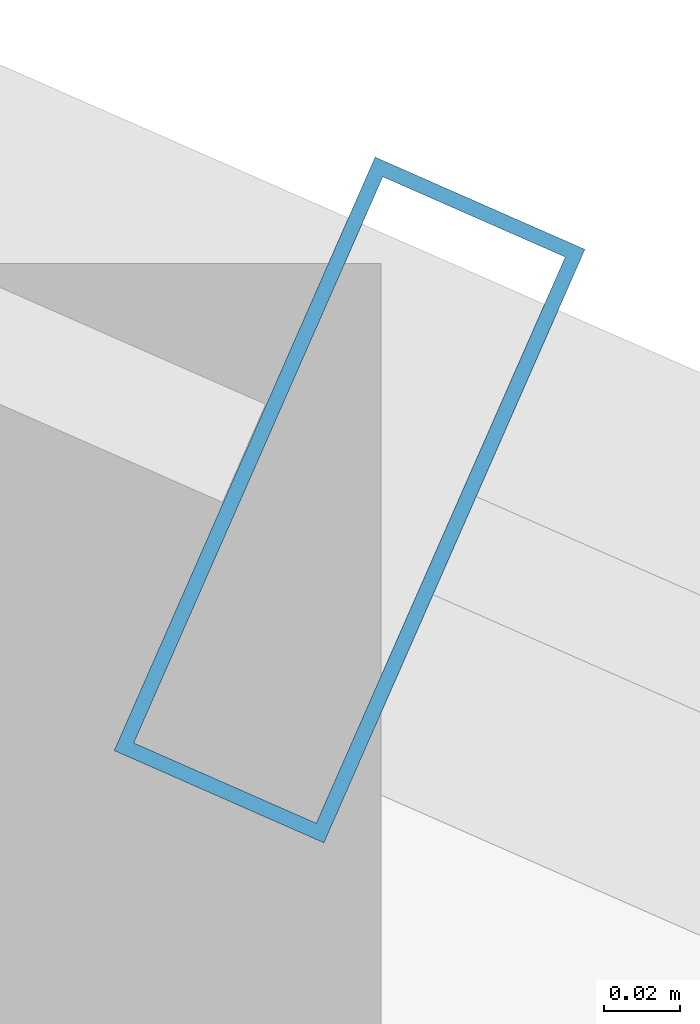
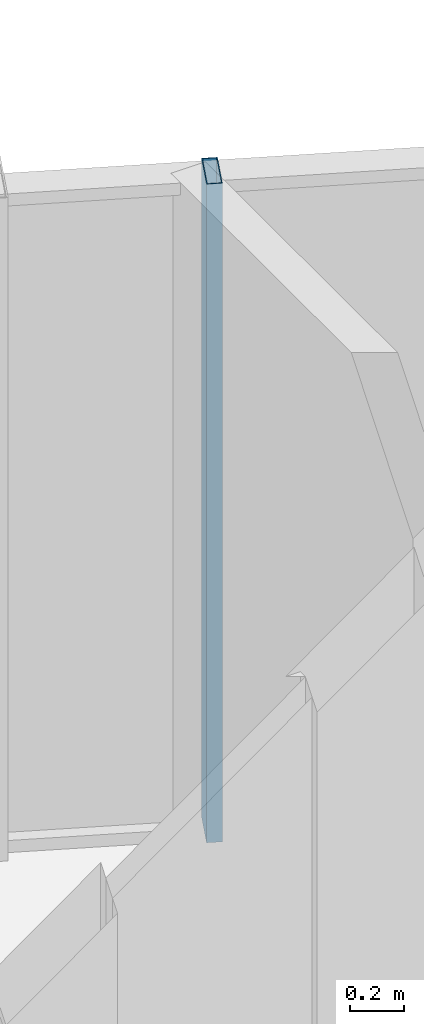
# One storey, part 25 of 34: 1 member, 1 element without a shape of its own.
"""IFC4 building model written with IfcOpenShell, lengths in metres."""

from ifc_helpers import new_model, si_unit, direction, frame, origin, origin_2d, place, context, subcontext, project, spatial, hollow_rectangle, extrude, source, transform, mapped, material, layer, layer_set, material_profile, profile_set, type_object, element, aggregate, save


model = new_model("IFC4")

# Units and contexts
model_context = context("Model", 3, precision=1e-05, world=origin(), true_north=direction((0.0, 1.0)))
body_context = subcontext(model_context, "Body", "Model", "MODEL_VIEW")
ifc_project = project(units=[si_unit("LENGTHUNIT", "METRE"), si_unit("AREAUNIT", "SQUARE_METRE"), si_unit("VOLUMEUNIT", "CUBIC_METRE"), si_unit("PLANEANGLEUNIT", "RADIAN"), si_unit("MASSUNIT", "GRAM", prefix="KILO")], contexts=[model_context])

# Site, building, storey
site_placement = place(None, origin())
site = spatial("IfcSite", under=ifc_project, at=site_placement, CompositionType="ELEMENT")
building_placement = place(site_placement, origin())
building = spatial("IfcBuilding", under=site, at=building_placement, Name="Veraguas Prism Commons", CompositionType="ELEMENT")
storey_placement = place(building_placement, frame((0.0, 0.0, 149.0)))
storey = spatial("IfcBuildingStorey", under=building, at=storey_placement, Name="L42", CompositionType="ELEMENT", Elevation=149.0)

# Curtain wall, member
ifc_material = material(Name="Anodised aluminium EN AW-6063 T6", Category="aluminium")
ifc_layer = layer(ifc_material, 0.169921875, Name="Unitised Flush Curtain Wall Zone 2", Category="aluminium")
ifc_layer_set = layer_set([ifc_layer], Name="Anodised aluminium EN AW-6063 T6")
curtain_wall_type = type_object("IfcCurtainWallType", Name="Unitised Flush Curtain Wall Zone 2", PredefinedType="NOTDEFINED", material=ifc_layer_set)
curtain_wall_placement = place(storey_placement, origin())
curtain_wall = element("IfcCurtainWall", 1, at=curtain_wall_placement, inside=storey, type_object=curtain_wall_type, Name="Tower Facade Curtain Wall L42-F1", PredefinedType="NOTDEFINED")
ifc_material_profile = material_profile(ifc_material, hollow_rectangle(XDim=0.06005859375, YDim=0.169921875, WallThickness=0.00390625, at=origin_2d()), Name="AL60X170X4")
ifc_profile_set = profile_set([ifc_material_profile], Name="Anodised aluminium EN AW-6063 T6")
member_type = type_object("IfcMemberType", Name="Curtain Wall Mullion Lower AL 60x170x4", PredefinedType="MULLION", material=ifc_profile_set)
shared_shape = source(origin(), body_context, "Body", "SweptSolid", [
    extrude(hollow_rectangle(XDim=0.06005859375, YDim=0.169921875, WallThickness=0.00390625, at=origin_2d()), origin(), (0.0, 0.0, 1.0), 3.0),
])
member_placement = place(storey_placement, frame((35.666748046875, 39.82470703125, 0.0), z_axis=(0.0, 0.0, 1.0), x_axis=(-0.915385270935, 0.402578943507, 0.0)))
member = element("IfcMember", 2, at=member_placement, type_object=member_type, Name="CW-Z2 Mullion 2", PredefinedType="MULLION", context=body_context, shape_type="MappedRepresentation", body=[
    mapped(shared_shape, transform((0.0, 0.0, 0.0), scale=1.0)),
])
aggregate(curtain_wall, [member])

save(model, "model.ifc")
